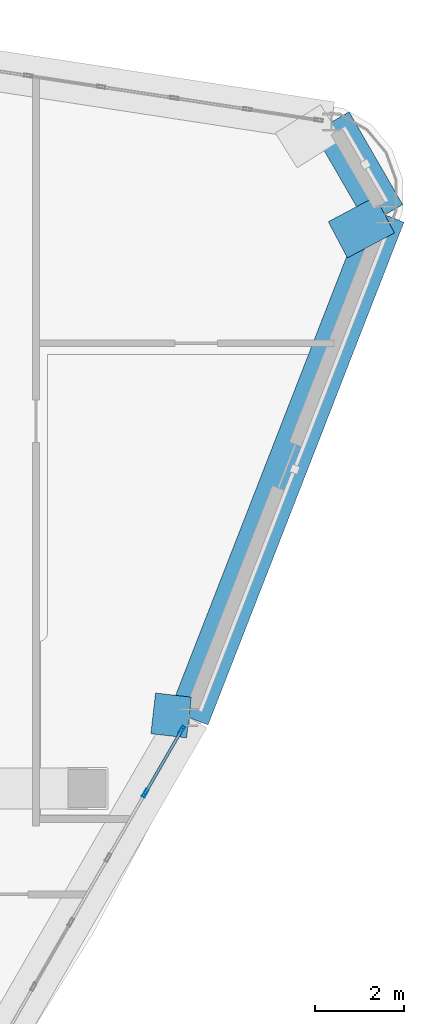
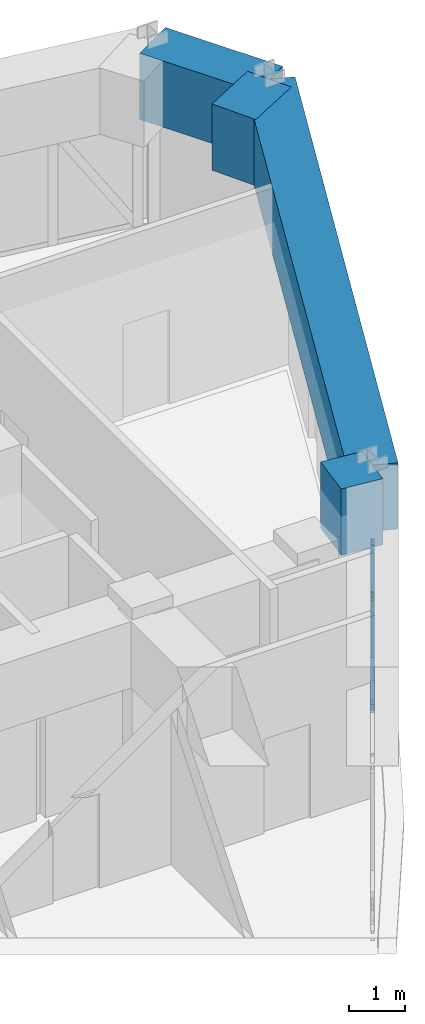
# One storey, part 7 of 16: 5 members, 4 beams, 1 element without a shape of its own.
"""IFC4 building model written with IfcOpenShell, lengths in metres."""

from ifc_helpers import new_model, si_unit, derived_unit, direction, frame, origin, origin_2d, place, context, subcontext, project, spatial, rectangle, hollow_rectangle, extrude, source, transform, mapped, material, layer, layer_set, material_profile, profile_set, type_object, element, aggregate, save


model = new_model("IFC4")

# Units and contexts
model_context = context("Model", 3, precision=1e-05, world=origin(), true_north=direction((0.0, 1.0)))
body_context = subcontext(model_context, "Body", "Model", "MODEL_VIEW")
ifc_project = project(units=[si_unit("LENGTHUNIT", "METRE"), si_unit("AREAUNIT", "SQUARE_METRE"), si_unit("VOLUMEUNIT", "CUBIC_METRE"), si_unit("PLANEANGLEUNIT", "RADIAN"), si_unit("MASSUNIT", "GRAM", prefix="KILO"), derived_unit("THERMALTRANSMITTANCEUNIT", [(si_unit("POWERUNIT", "WATT"), 1), (si_unit("LENGTHUNIT", "METRE"), -2), (si_unit("THERMODYNAMICTEMPERATUREUNIT", "KELVIN"), -1)])], contexts=[model_context])

# Site, building, storey
site_placement = place(None, origin())
site = spatial("IfcSite", under=ifc_project, at=site_placement, CompositionType="ELEMENT")
building_placement = place(site_placement, origin())
building = spatial("IfcBuilding", under=site, at=building_placement, Name="Korsvarv Bourse and Concert Hall", CompositionType="ELEMENT")
storey_placement = place(building_placement, frame((0.0, 0.0, 288.0)))
storey = spatial("IfcBuildingStorey", under=building, at=storey_placement, Name="L75", CompositionType="ELEMENT", Elevation=288.0)

# Beams
ifc_material_1 = material(Name="Concrete C50/60", Category="concrete")
ifc_material_profile_1 = material_profile(ifc_material_1, rectangle(XDim=0.919921875, YDim=1.43994140625, at=origin_2d()), Name="RC-BM 920x1440")
ifc_profile_set_1 = profile_set([ifc_material_profile_1], Name="Concrete C50/60")
beam_type = type_object("IfcBeamType", Name="BM-TR-144", PredefinedType="BEAM", material=ifc_profile_set_1)
shared_shape_1 = source(origin(), body_context, "Body", "SweptSolid", [
    extrude(rectangle(XDim=0.919921875, YDim=1.43994140625, at=origin_2d()), origin(), (0.0, 0.0, 1.0), 2.40576171875),
])
beam_1_placement = place(storey_placement, frame((54.491455078125, 45.287109375, 3.22998046875), z_axis=(-0.499991841196, 0.866030114221, 0.0), x_axis=(-0.866030114221, -0.499991841196, 0.0)))
element("IfcBeam", 1, at=beam_1_placement, inside=storey, type_object=beam_type, Name="L75 beam B-TR4", PredefinedType="BEAM", context=body_context, shape_type="MappedRepresentation", body=[
    mapped(shared_shape_1, transform((0.0, 0.0, 0.0), scale=1.0)),
])
shared_shape_2 = source(origin(), body_context, "Body", "SweptSolid", [
    extrude(rectangle(XDim=0.919921875, YDim=1.43994140625, at=origin_2d()), origin(), (0.0, 0.0, 1.0), 12.117919921875),
])
beam_2_placement = place(storey_placement, frame((50.090087890625, 33.996826171875, 3.22998046875), z_axis=(0.363213243367, 0.931706037247, 0.0), x_axis=(-0.931706037247, 0.363213243367, 0.0)))
element("IfcBeam", 2, at=beam_2_placement, inside=storey, type_object=beam_type, Name="L75 beam B-TR4", PredefinedType="BEAM", context=body_context, shape_type="MappedRepresentation", body=[
    mapped(shared_shape_2, transform((0.0, 0.0, 0.0), scale=1.0)),
])
shared_shape_3 = source(origin(), body_context, "Body", "SweptSolid", [
    extrude(rectangle(XDim=0.919921875, YDim=1.43994140625, at=origin_2d()), origin(), (0.0, 0.0, 1.0), 1.197265625),
])
beam_3_placement = place(storey_placement, frame((54.491455078125, 45.287109375, 3.22998046875), z_axis=(-0.883956499291, -0.467569147145, 0.0), x_axis=(0.467569147145, -0.883956499291, 0.0)))
element("IfcBeam", 3, at=beam_3_placement, inside=storey, type_object=beam_type, Name="L75 beam B-TR4", PredefinedType="BEAM", context=body_context, shape_type="MappedRepresentation", body=[
    mapped(shared_shape_3, transform((0.0, 0.0, 0.0), scale=1.0)),
])
shared_shape_4 = source(origin(), body_context, "Body", "SweptSolid", [
    extrude(rectangle(XDim=0.919921875, YDim=1.43994140625, at=origin_2d()), origin(), (0.0, 0.0, 1.0), 0.80859375),
])
beam_4_placement = place(storey_placement, frame((50.090087890625, 33.996826171875, 3.22998046875), z_axis=(-0.993395705436, 0.114738713698, 0.0), x_axis=(-0.114738713698, -0.993395705436, 0.0)))
element("IfcBeam", 4, at=beam_4_placement, inside=storey, type_object=beam_type, Name="L75 beam B-TR4", PredefinedType="BEAM", context=body_context, shape_type="MappedRepresentation", body=[
    mapped(shared_shape_4, transform((0.0, 0.0, 0.0), scale=1.0)),
])

# Curtain wall, members
ifc_material_2 = material(Name="Anodised aluminium and triple low-E glazing", Category="glass")
ifc_layer = layer(ifc_material_2, 0.18994140625)
ifc_layer_set = layer_set([ifc_layer], Name="Anodised aluminium and triple low-E glazing")
curtain_wall_type = type_object("IfcCurtainWallType", Name="CW-SYS-4", PredefinedType="NOTDEFINED", material=ifc_layer_set)
curtain_wall_placement = place(storey_placement, origin())
curtain_wall = element("IfcCurtainWall", 5, at=curtain_wall_placement, inside=storey, type_object=curtain_wall_type, Name="L75 CW4 curtain wall CW-L75-F11", PredefinedType="NOTDEFINED")
ifc_material_3 = material(Name="Extruded aluminium EN AW-6063 T66", Category="aluminium")
ifc_material_profile_2 = material_profile(ifc_material_3, hollow_rectangle(XDim=0.06494140625, YDim=0.1650390625, WallThickness=0.0048828125, at=origin_2d()), Name="ALU-M 65x165")
ifc_profile_set_2 = profile_set([ifc_material_profile_2], Name="Extruded aluminium EN AW-6063 T66")
member_type_1 = type_object("IfcMemberType", Name="CWM-165", PredefinedType="MULLION", material=ifc_profile_set_2)
shared_shape_5 = source(origin(), body_context, "Body", "SweptSolid", [
    extrude(hollow_rectangle(XDim=0.06494140625, YDim=0.1650390625, WallThickness=0.0048828125, at=origin_2d()), origin(), (0.0, 0.0, 1.0), 2.850830078125),
])
member_1_placement = place(storey_placement, frame((49.9111328125, 33.686767578125, 0.06494140625), z_axis=(-0.275241096915, -0.476662086318, 0.834886575551), x_axis=(0.865993845424, -0.5000546567, 0.0)))
member_1 = element("IfcMember", 6, at=member_1_placement, type_object=member_type_1, Name="CW4 diagonal mullion 6", PredefinedType="MULLION", context=body_context, shape_type="MappedRepresentation", body=[
    mapped(shared_shape_5, transform((0.0, 0.0, 0.0), scale=1.0)),
])
ifc_material_profile_3 = material_profile(ifc_material_3, hollow_rectangle(XDim=0.070068359375, YDim=0.18994140625, WallThickness=0.0048828125, at=origin_2d()), Name="ALU-M 70x190")
ifc_profile_set_3 = profile_set([ifc_material_profile_3], Name="Extruded aluminium EN AW-6063 T66")
member_type_2 = type_object("IfcMemberType", Name="CWM-190", PredefinedType="MULLION", material=ifc_profile_set_3)
shared_shape_6 = source(origin(), body_context, "Body", "SweptSolid", [
    extrude(hollow_rectangle(XDim=0.070068359375, YDim=0.18994140625, WallThickness=0.0048828125, at=origin_2d()), origin(), (0.0, 0.0, 1.0), 2.510009765625),
])
member_2_placement = place(storey_placement, frame((49.109130859375, 32.297607421875, 0.0), z_axis=(0.0, 0.0, 1.0), x_axis=(-0.866022776267, 0.500004550967, 0.0)))
member_2 = element("IfcMember", 7, at=member_2_placement, type_object=member_type_2, Name="CW4 mullion 6", PredefinedType="MULLION", context=body_context, shape_type="MappedRepresentation", body=[
    mapped(shared_shape_6, transform((0.0, 0.0, 0.0), scale=1.0)),
])
member_3_placement = place(storey_placement, frame((49.9287109375, 33.717041015625, 0.0), z_axis=(0.0, 0.0, 1.0), x_axis=(-0.866022776267, 0.500004550967, 0.0)))
member_3 = element("IfcMember", 8, at=member_3_placement, type_object=member_type_2, Name="CW4 mullion 7", PredefinedType="MULLION", context=body_context, shape_type="MappedRepresentation", body=[
    mapped(shared_shape_6, transform((0.0, 0.0, 0.0), scale=1.0)),
])
ifc_material_profile_4 = material_profile(ifc_material_3, hollow_rectangle(XDim=0.06494140625, YDim=0.139892578125, WallThickness=0.00390625, at=origin_2d()), Name="ALU-T 65x140")
ifc_profile_set_4 = profile_set([ifc_material_profile_4], Name="Extruded aluminium EN AW-6063 T66")
member_type_3 = type_object("IfcMemberType", Name="CWT-140", PredefinedType="USERDEFINED", material=ifc_profile_set_4)
shared_shape_7 = source(origin(), body_context, "Body", "SweptSolid", [
    extrude(hollow_rectangle(XDim=0.06494140625, YDim=0.139892578125, WallThickness=0.00390625, at=origin_2d()), origin(), (0.0, 0.0, 1.0), 1.569091796875),
])
member_4_placement = place(storey_placement, frame((49.12646484375, 32.327880859375, 0.032470703125), z_axis=(0.5000546567, 0.865993845424, 0.0), x_axis=(-0.865993845424, 0.5000546567, 0.0)))
member_4 = element("IfcMember", 9, at=member_4_placement, type_object=member_type_3, Name="CW4 transom 6.1", ObjectType="TRANSOM", PredefinedType="USERDEFINED", context=body_context, shape_type="MappedRepresentation", body=[
    mapped(shared_shape_7, transform((0.0, 0.0, 0.0), scale=1.0)),
])
member_5_placement = place(storey_placement, frame((49.12646484375, 32.327880859375, 2.4775390625), z_axis=(0.5000546567, 0.865993845424, 0.0), x_axis=(-0.865993845424, 0.5000546567, 0.0)))
member_5 = element("IfcMember", 10, at=member_5_placement, type_object=member_type_3, Name="CW4 transom 6.2", ObjectType="TRANSOM", PredefinedType="USERDEFINED", context=body_context, shape_type="MappedRepresentation", body=[
    mapped(shared_shape_7, transform((0.0, 0.0, 0.0), scale=1.0)),
])
aggregate(curtain_wall, [member_2, member_3, member_4, member_5, member_1])

save(model, "model.ifc")
